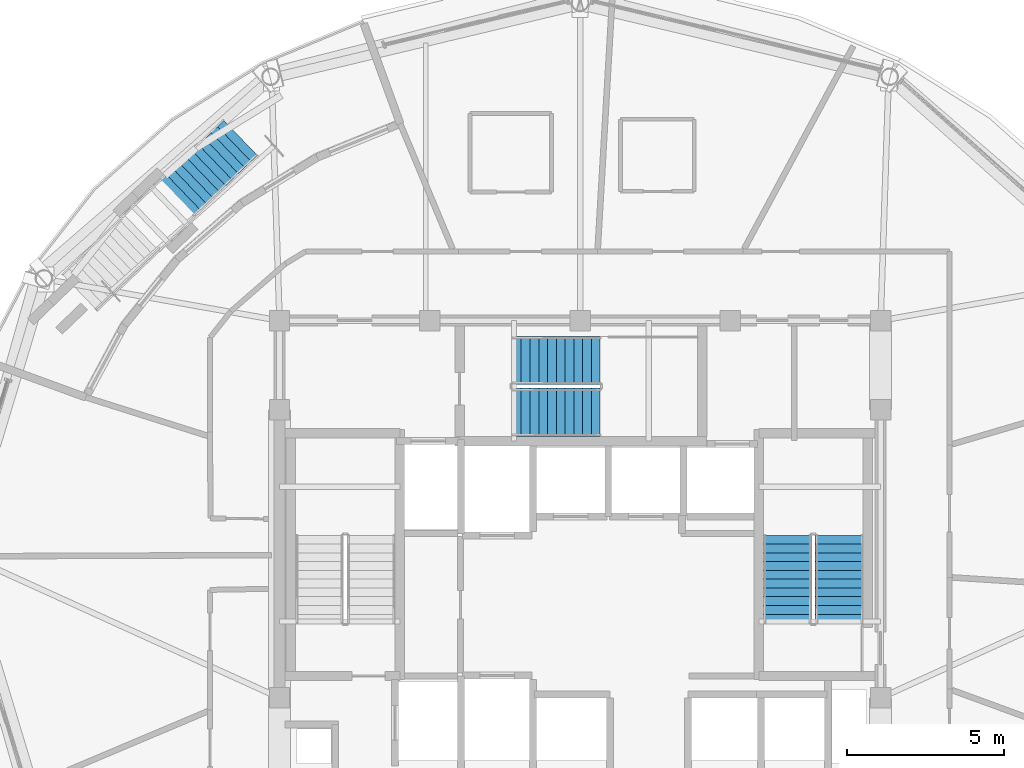
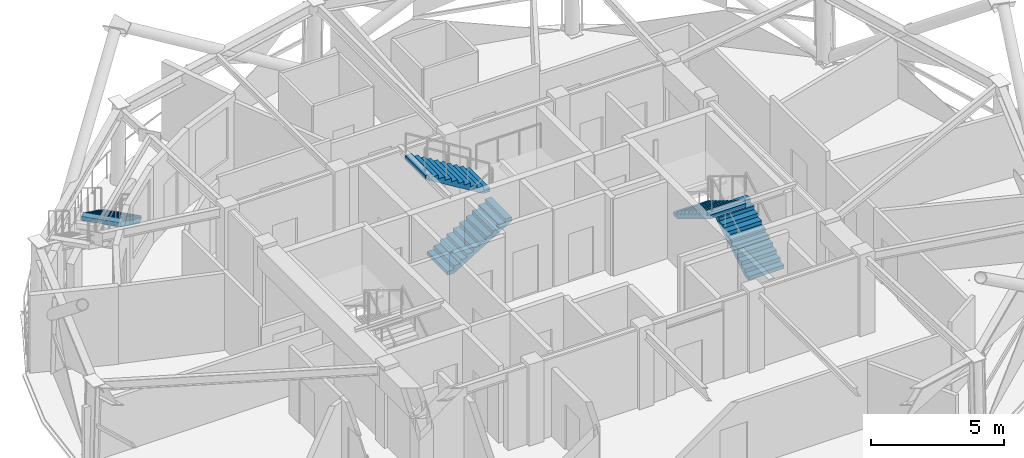
# One storey, part 11 of 16: 5 stair flights, 3 elements without a shape of their own.
"""IFC4 building model written with IfcOpenShell, lengths in metres."""

from ifc_helpers import new_model, si_unit, direction, frame, origin, place, context, subcontext, project, spatial, polyline, outline, extrude, material, type_object, element, aggregate, save


model = new_model("IFC4")

# Units and contexts
model_context = context("Model", 3, precision=1e-05, world=origin(), true_north=direction((0.0, 1.0)))
body_context = subcontext(model_context, "Body", "Model", "MODEL_VIEW")
ifc_project = project(units=[si_unit("LENGTHUNIT", "METRE"), si_unit("AREAUNIT", "SQUARE_METRE"), si_unit("VOLUMEUNIT", "CUBIC_METRE"), si_unit("PLANEANGLEUNIT", "RADIAN"), si_unit("MASSUNIT", "GRAM", prefix="KILO")], contexts=[model_context])

# Site, building, storey
site_placement = place(None, origin())
site = spatial("IfcSite", under=ifc_project, at=site_placement, CompositionType="ELEMENT")
building_placement = place(site_placement, origin())
building = spatial("IfcBuilding", under=site, at=building_placement, Name="Vantalir Tower", CompositionType="ELEMENT")
storey_placement = place(building_placement, frame((0.0, 0.0, 267.60009765625)))
storey = spatial("IfcBuildingStorey", under=building, at=storey_placement, Name="L67", CompositionType="ELEMENT", Elevation=267.60009765625)

# Stair, stair flights
ifc_material_1 = material(Name="Concrete C40/50", Category="concrete")
stair_type_1 = type_object("IfcStairType", Name="STR-CORE-1450", PredefinedType="HALF_TURN_STAIR", material=ifc_material_1)
stair_1_placement = place(storey_placement, origin())
stair_1 = element("IfcStair", 1, at=stair_1_placement, inside=storey, type_object=stair_type_1, Name="L67 Core Exit Stair 2", PredefinedType="HALF_TURN_STAIR")
stair_flight_type_1 = type_object("IfcStairFlightType", Name="FLT-CORE-1450", PredefinedType="STRAIGHT", material=ifc_material_1)
stair_flight_1_placement = place(storey_placement, frame((39.780029296875, 22.7900390625, 0.0), z_axis=(0.0, 0.0, 1.0), x_axis=(0.0, 1.0, 0.0)))
stair_flight_1 = element("IfcStairFlight", 2, at=stair_flight_1_placement, type_object=stair_flight_type_1, Name="ST2 flight 1", NumberOfRisers=11, NumberOfTreads=10, PredefinedType="STRAIGHT", RiserHeight=0.170454545, TreadLength=0.28, context=body_context, shape_type="SweptSolid", body=[
    extrude(outline(polyline([(0.0, 0.0), (0.0, 0.17041015625), (0.280029296875, 0.17041015625), (0.280029296875, 0.3408203125), (0.56005859375, 0.3408203125), (0.56005859375, 0.511474609375), (0.840087890625, 0.511474609375), (0.840087890625, 0.681884765625), (1.1201171875, 0.681884765625), (1.1201171875, 0.852294921875), (1.39990234375, 0.852294921875), (1.39990234375, 1.022705078125), (1.679931640625, 1.022705078125), (1.679931640625, 1.193115234375), (1.9599609375, 1.193115234375), (1.9599609375, 1.363525390625), (2.239990234375, 1.363525390625), (2.239990234375, 1.5341796875), (2.52001953125, 1.5341796875), (2.52001953125, 1.70458984375), (2.800048828125, 1.70458984375), (2.800048828125, 1.875), (2.800048828125, 1.529052734375), (0.288330078125, 0.0), (0.0, 0.0)])), frame((0.0, 0.77001953125, 0.0), z_axis=(0.0, -1.0, 0.0), x_axis=(1.0, 0.0, 0.0)), (0.0, 0.0, 1.0), 1.5400390625),
])
stair_flight_2_placement = place(storey_placement, frame((38.1201171875, 25.590087890625, 1.875), z_axis=(0.0, 0.0, 1.0), x_axis=(0.0, -1.0, 0.0)))
stair_flight_2 = element("IfcStairFlight", 3, at=stair_flight_2_placement, type_object=stair_flight_type_1, Name="ST2 flight 2", NumberOfRisers=11, NumberOfTreads=10, PredefinedType="STRAIGHT", RiserHeight=0.170454545, TreadLength=0.28, context=body_context, shape_type="SweptSolid", body=[
    extrude(outline(polyline([(0.0, 0.0), (0.0, 0.17041015625), (0.280029296875, 0.17041015625), (0.280029296875, 0.3408203125), (0.56005859375, 0.3408203125), (0.56005859375, 0.511474609375), (0.840087890625, 0.511474609375), (0.840087890625, 0.681884765625), (1.1201171875, 0.681884765625), (1.1201171875, 0.852294921875), (1.39990234375, 0.852294921875), (1.39990234375, 1.022705078125), (1.679931640625, 1.022705078125), (1.679931640625, 1.193115234375), (1.9599609375, 1.193115234375), (1.9599609375, 1.363525390625), (2.239990234375, 1.363525390625), (2.239990234375, 1.5341796875), (2.52001953125, 1.5341796875), (2.52001953125, 1.70458984375), (2.800048828125, 1.70458984375), (2.800048828125, 1.875), (2.800048828125, 1.529052734375), (0.288330078125, 0.0), (0.0, 0.0)])), frame((0.0, 0.77001953125, 0.0), z_axis=(0.0, -1.0, 0.0), x_axis=(1.0, 0.0, 0.0)), (0.0, 0.0, 1.0), 1.5400390625),
])
aggregate(stair_1, [stair_flight_1, stair_flight_2])

stair_2_placement = place(storey_placement, origin())
stair_2 = element("IfcStair", 4, at=stair_2_placement, inside=storey, type_object=stair_type_1, Name="L67 Core Exit Stair 3", PredefinedType="HALF_TURN_STAIR")
stair_flight_3_placement = place(storey_placement, frame((29.340087890625, 29.52001953125, 0.0), z_axis=(0.0, 0.0, 1.0), x_axis=(1.0, 0.0, 0.0)))
stair_flight_3 = element("IfcStairFlight", 5, at=stair_flight_3_placement, type_object=stair_flight_type_1, Name="ST3 flight 1", NumberOfRisers=11, NumberOfTreads=10, PredefinedType="STRAIGHT", RiserHeight=0.170454545, TreadLength=0.28, context=body_context, shape_type="SweptSolid", body=[
    extrude(outline(polyline([(0.0, 0.0), (0.0, 0.17041015625), (0.280029296875, 0.17041015625), (0.280029296875, 0.3408203125), (0.56005859375, 0.3408203125), (0.56005859375, 0.511474609375), (0.840087890625, 0.511474609375), (0.840087890625, 0.681884765625), (1.1201171875, 0.681884765625), (1.1201171875, 0.852294921875), (1.39990234375, 0.852294921875), (1.39990234375, 1.022705078125), (1.679931640625, 1.022705078125), (1.679931640625, 1.193115234375), (1.9599609375, 1.193115234375), (1.9599609375, 1.363525390625), (2.239990234375, 1.363525390625), (2.239990234375, 1.5341796875), (2.52001953125, 1.5341796875), (2.52001953125, 1.70458984375), (2.800048828125, 1.70458984375), (2.800048828125, 1.875), (2.800048828125, 1.529052734375), (0.288330078125, 0.0), (0.0, 0.0)])), frame((0.0, 0.77001953125, 0.0), z_axis=(0.0, -1.0, 0.0), x_axis=(1.0, 0.0, 0.0)), (0.0, 0.0, 1.0), 1.5400390625),
])
stair_flight_4_placement = place(storey_placement, frame((32.139892578125, 31.179931640625, 1.875), z_axis=(0.0, 0.0, 1.0), x_axis=(-1.0, 0.0, 0.0)))
stair_flight_4 = element("IfcStairFlight", 6, at=stair_flight_4_placement, type_object=stair_flight_type_1, Name="ST3 flight 2", NumberOfRisers=11, NumberOfTreads=10, PredefinedType="STRAIGHT", RiserHeight=0.170454545, TreadLength=0.28, context=body_context, shape_type="SweptSolid", body=[
    extrude(outline(polyline([(0.0, 0.0), (0.0, 0.17041015625), (0.280029296875, 0.17041015625), (0.280029296875, 0.3408203125), (0.56005859375, 0.3408203125), (0.56005859375, 0.511474609375), (0.840087890625, 0.511474609375), (0.840087890625, 0.681884765625), (1.1201171875, 0.681884765625), (1.1201171875, 0.852294921875), (1.39990234375, 0.852294921875), (1.39990234375, 1.022705078125), (1.679931640625, 1.022705078125), (1.679931640625, 1.193115234375), (1.9599609375, 1.193115234375), (1.9599609375, 1.363525390625), (2.239990234375, 1.363525390625), (2.239990234375, 1.5341796875), (2.52001953125, 1.5341796875), (2.52001953125, 1.70458984375), (2.800048828125, 1.70458984375), (2.800048828125, 1.875), (2.800048828125, 1.529052734375), (0.288330078125, 0.0), (0.0, 0.0)])), frame((0.0, 0.77001953125, 0.0), z_axis=(0.0, -1.0, 0.0), x_axis=(1.0, 0.0, 0.0)), (0.0, 0.0, 1.0), 1.5400390625),
])
aggregate(stair_2, [stair_flight_3, stair_flight_4])

# Stair, stair flight
ifc_material_2 = material(Name="Steel S355", Category="steel")
stair_type_2 = type_object("IfcStairType", Name="STR-SKYGARDEN-1550", PredefinedType="STRAIGHT_RUN_STAIR", material=ifc_material_2)
stair_3_placement = place(storey_placement, origin())
stair_3 = element("IfcStair", 7, at=stair_3_placement, inside=storey, type_object=stair_type_2, Name="Sky Garden Feature Stair SG4", PredefinedType="STRAIGHT_RUN_STAIR")
stair_flight_type_2 = type_object("IfcStairFlightType", Name="FLT-SKYGARDEN-1550", PredefinedType="STRAIGHT", material=ifc_material_2)
stair_flight_5_placement = place(storey_placement, frame((20.656005859375, 38.282958984375, 0.0), z_axis=(0.0, 0.0, 1.0), x_axis=(-0.721178917303, -0.692748850044, 0.0)))
stair_flight_5 = element("IfcStairFlight", 8, at=stair_flight_5_placement, type_object=stair_flight_type_2, Name="ST-SG4 flight 1", NumberOfRisers=11, NumberOfTreads=10, PredefinedType="STRAIGHT", RiserHeight=0.170455, TreadLength=0.28, context=body_context, shape_type="SweptSolid", body=[
    extrude(outline(polyline([(0.0, 0.0), (0.0, 0.17041015625), (0.280029296875, 0.17041015625), (0.280029296875, 0.3408203125), (0.56005859375, 0.3408203125), (0.56005859375, 0.511474609375), (0.840087890625, 0.511474609375), (0.840087890625, 0.681884765625), (1.1201171875, 0.681884765625), (1.1201171875, 0.852294921875), (1.39990234375, 0.852294921875), (1.39990234375, 1.022705078125), (1.679931640625, 1.022705078125), (1.679931640625, 1.193115234375), (1.9599609375, 1.193115234375), (1.9599609375, 1.363525390625), (2.239990234375, 1.363525390625), (2.239990234375, 1.5341796875), (2.52001953125, 1.5341796875), (2.52001953125, 1.70458984375), (2.800048828125, 1.70458984375), (2.800048828125, 1.875), (2.800048828125, 1.517333984375), (0.3076171875, 0.0), (0.0, 0.0)])), frame((0.0, 0.77490234375, 0.0), z_axis=(0.0, -1.0, 0.0), x_axis=(1.0, 0.0, 0.0)), (0.0, 0.0, 1.0), 1.550048828125),
])
aggregate(stair_3, [stair_flight_5])

save(model, "model.ifc")
